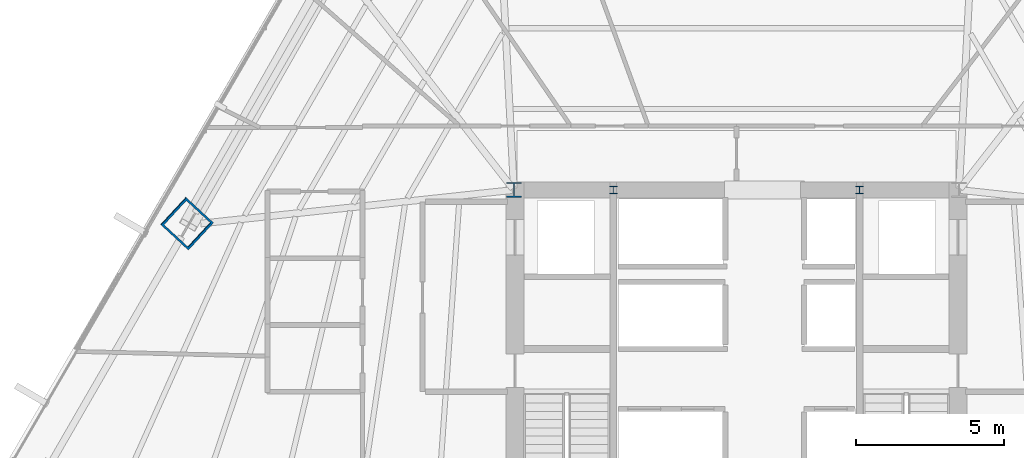
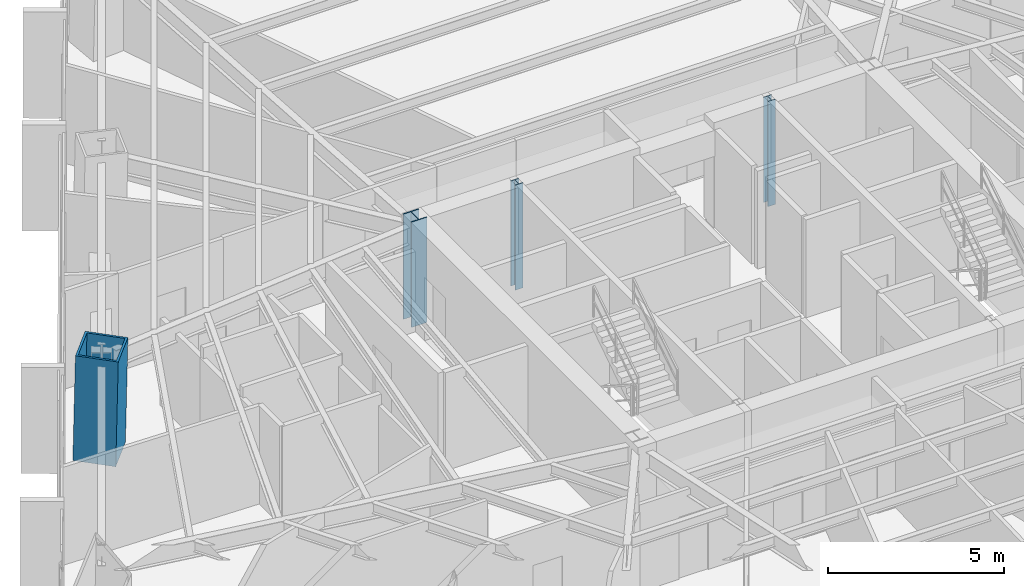
# One storey, part 2 of 36: 4 columns.
"""IFC4 building model written with IfcOpenShell, lengths in metres."""

from ifc_helpers import new_model, si_unit, direction, frame, origin, origin_2d, place, context, subcontext, project, spatial, hollow_rectangle, i_section, extrude, source, transform, mapped, material, material_profile, profile_set, type_object, type_shapes, element, save


model = new_model("IFC4")

# Units and contexts
model_context = context("Model", 3, precision=1e-05, world=origin(), true_north=direction((0.0, 1.0)))
body_context = subcontext(model_context, "Body", "Model", "MODEL_VIEW")
ifc_project = project(units=[si_unit("LENGTHUNIT", "METRE"), si_unit("AREAUNIT", "SQUARE_METRE"), si_unit("VOLUMEUNIT", "CUBIC_METRE"), si_unit("PLANEANGLEUNIT", "RADIAN"), si_unit("MASSUNIT", "GRAM", prefix="KILO")], contexts=[model_context])

# Site, building, storey
site_placement = place(None, origin())
site = spatial("IfcSite", under=ifc_project, at=site_placement, CompositionType="ELEMENT")
building_placement = place(site_placement, origin())
building = spatial("IfcBuilding", under=site, at=building_placement, Name="Caelisora Broadcast Tower", CompositionType="ELEMENT")
storey_placement = place(building_placement, frame((0.0, 0.0, 64.10009765625)))
storey = spatial("IfcBuildingStorey", under=building, at=storey_placement, Name="L16", CompositionType="ELEMENT", Elevation=64.10009765625)

# Columns
ifc_material_1 = material(Name="Steel Grade 350 (AS/NZS 3679.2)", Category="steel")
ifc_material_profile_1 = material_profile(ifc_material_1, i_section(OverallWidth=0.5, OverallDepth=0.5, WebThickness=0.028076171875, FlangeThickness=0.0400390625, at=origin_2d()), Name="Steel Grade 350 (AS/NZS 3679.2)")
ifc_profile_set_1 = profile_set([ifc_material_profile_1], Name="Steel Grade 350 (AS/NZS 3679.2)")
column_type_1 = type_object("IfcColumnType", Name="CC01", PredefinedType="COLUMN", material=ifc_profile_set_1)
shared_shape_1 = source(origin(), body_context, "Body", "SweptSolid", [
    extrude(i_section(OverallWidth=0.5, OverallDepth=0.5, WebThickness=0.028076171875, FlangeThickness=0.0400390625, at=origin_2d()), origin(), (0.0, 0.0, 1.0), 3.64990234375),
])
type_shapes(column_type_1, [shared_shape_1])
column_1_placement = place(storey_placement, frame((30.5, 30.0, 0.0), z_axis=(0.0, 0.0, 1.0), x_axis=(1.0, 0.0, 0.0)))
element("IfcColumn", 1, at=column_1_placement, inside=storey, type_object=column_type_1, Name="L16 column CC01", PredefinedType="COLUMN", context=body_context, shape_type="MappedRepresentation", body=[
    mapped(shared_shape_1, transform((0.0, 0.0, 0.0), scale=1.0)),
])
ifc_material_2 = material(Name="Steel Grade 350 L15 (AS/NZS 3678)", Category="steel")
ifc_material_profile_2 = material_profile(ifc_material_2, hollow_rectangle(XDim=1.25, YDim=1.25, WallThickness=0.070068359375, at=origin_2d()), Name="Steel Grade 350 L15 (AS/NZS 3678)")
ifc_profile_set_2 = profile_set([ifc_material_profile_2], Name="Steel Grade 350 L15 (AS/NZS 3678)")
column_type_2 = type_object("IfcColumnType", Name="MC02", PredefinedType="COLUMN", material=ifc_profile_set_2)
shared_shape_2 = source(origin(), body_context, "Body", "SweptSolid", [
    extrude(hollow_rectangle(XDim=1.25, YDim=1.25, WallThickness=0.070068359375, at=origin_2d()), origin(), (0.0, 0.0, 1.0), 3.650634765625),
])
type_shapes(column_type_2, [shared_shape_2])
column_2_placement = place(storey_placement, frame((19.477783203125, 28.87255859375, 0.0), z_axis=(0.014913313399, -0.013776424037, 0.999793880369), x_axis=(0.678553674548, 0.734550822447, 0.0)))
element("IfcColumn", 2, at=column_2_placement, inside=storey, type_object=column_type_2, Name="L16 column MC02", PredefinedType="COLUMN", context=body_context, shape_type="MappedRepresentation", body=[
    mapped(shared_shape_2, transform((0.0, 0.0, 0.0), scale=1.0)),
])
ifc_material_3 = material(Name="Steel Grade 350 (AS/NZS 3679.1)", Category="steel")
ifc_material_profile_3 = material_profile(ifc_material_3, i_section(OverallWidth=0.256103515625, OverallDepth=0.260009765625, WebThickness=0.010498046875, FlangeThickness=0.017333984375, at=origin_2d()), Name="Steel Grade 350 (AS/NZS 3679.1)")
ifc_profile_set_3 = profile_set([ifc_material_profile_3], Name="Steel Grade 350 (AS/NZS 3679.1)")
column_type_3 = type_object("IfcColumnType", Name="CC05", PredefinedType="COLUMN", material=ifc_profile_set_3)
shared_shape_3 = source(origin(), body_context, "Body", "SweptSolid", [
    extrude(i_section(OverallWidth=0.256103515625, OverallDepth=0.260009765625, WebThickness=0.010498046875, FlangeThickness=0.017333984375, at=origin_2d()), origin(), (0.0, 0.0, 1.0), 3.64990234375),
])
type_shapes(column_type_3, [shared_shape_3])
for number, where, z_axis, x_axis, name in (
    (3, (33.85009765625, 30.0, 0.0), (0.0, 0.0, 1.0), (1.0, 0.0, 0.0), "L16 column CC05"),
    (4, (42.14990234375, 30.0, 0.0), (0.0, 0.0, 1.0), (1.0, 0.0, 0.0), "L16 column CC05"),
):
    element("IfcColumn", number, at=place(storey_placement, frame(where, z_axis=z_axis, x_axis=x_axis)), inside=storey, type_object=column_type_3, Name=name, PredefinedType="COLUMN", context=body_context, shape_type="MappedRepresentation", body=[
        mapped(shared_shape_3, transform((0.0, 0.0, 0.0), scale=1.0)),
    ])

save(model, "model.ifc")
